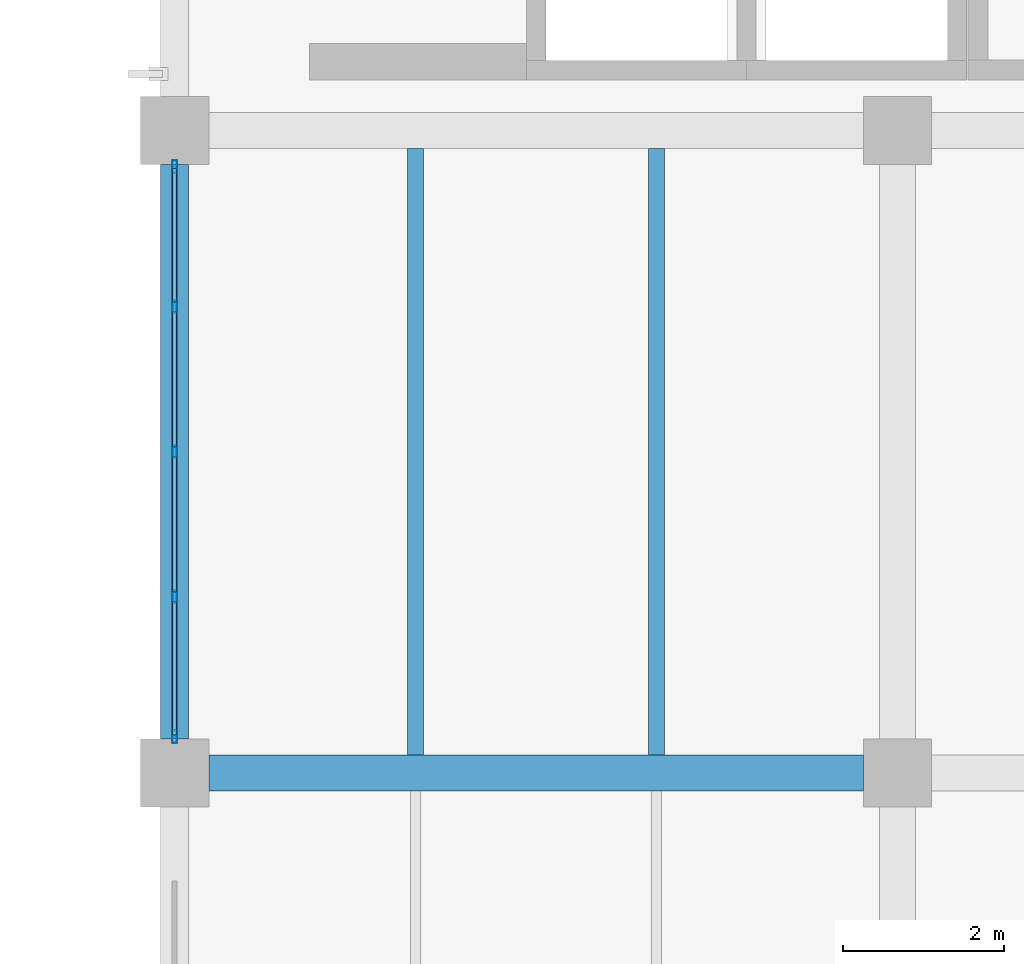
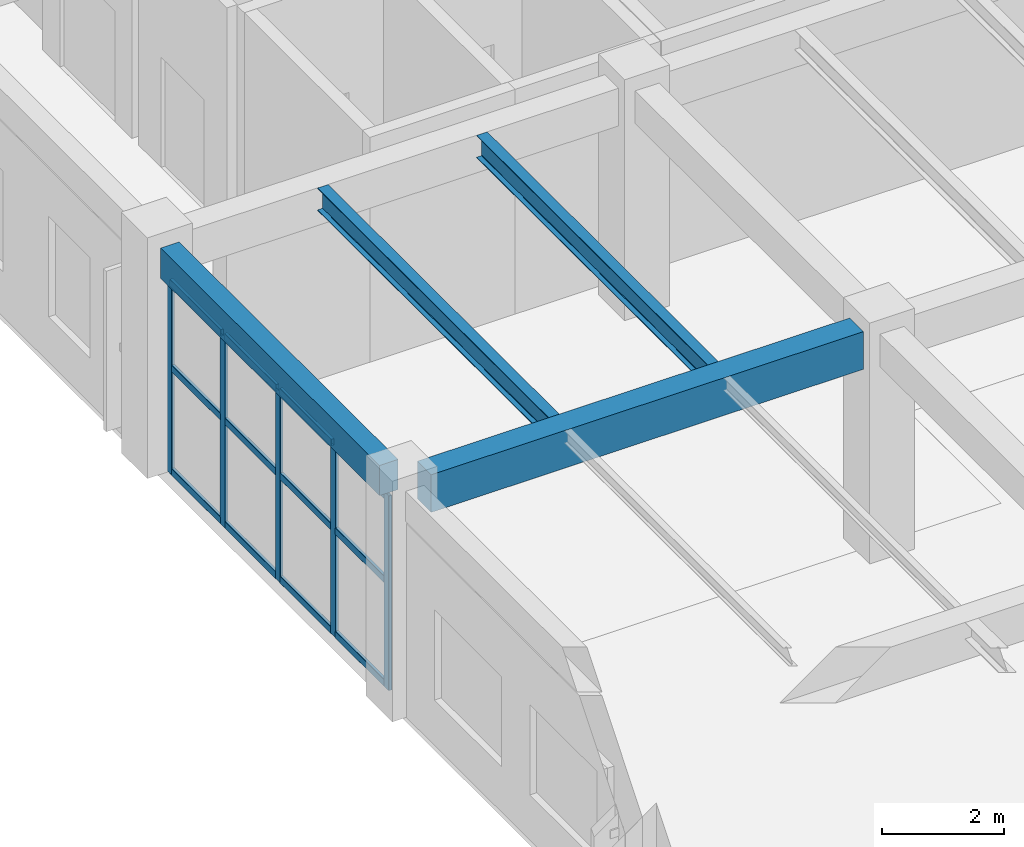
# One storey, part 120 of 178: 17 members, 4 beams, 1 element without a shape of its own.
"""IFC4 building model written with IfcOpenShell, lengths in metres."""

from ifc_helpers import new_model, si_unit, derived_unit, direction, frame, origin, origin_2d, place, context, subcontext, project, spatial, rectangle, hollow_rectangle, i_section, extrude, material, material_profile, profile_set, type_object, element, aggregate, save


model = new_model("IFC4")

# Units and contexts
model_context = context("Model", 3, precision=1e-05, world=origin(), true_north=direction((0.0, 1.0)))
body_context = subcontext(model_context, "Body", "Model", "MODEL_VIEW")
ifc_project = project(units=[si_unit("LENGTHUNIT", "METRE"), si_unit("AREAUNIT", "SQUARE_METRE"), si_unit("VOLUMEUNIT", "CUBIC_METRE"), si_unit("PLANEANGLEUNIT", "RADIAN"), si_unit("MASSUNIT", "GRAM", prefix="KILO"), derived_unit("THERMALTRANSMITTANCEUNIT", [(si_unit("MASSUNIT", "GRAM", prefix="KILO"), 1), (si_unit("TIMEUNIT", "SECOND"), -3), (si_unit("THERMODYNAMICTEMPERATUREUNIT", "KELVIN"), -1)])], contexts=[model_context])

# Site, building, storey
site_placement = place(None, origin())
site = spatial("IfcSite", under=ifc_project, at=site_placement, CompositionType="ELEMENT")
building_placement = place(site_placement, origin())
building = spatial("IfcBuilding", under=site, at=building_placement, Name="Zhenchuan Archway Interchange", CompositionType="ELEMENT")
storey_placement = place(building_placement, frame((0.0, 0.0, 5.39990234375)))
storey = spatial("IfcBuildingStorey", under=building, at=storey_placement, Name="L01", CompositionType="ELEMENT", Elevation=5.39990234375)

# Beam
ifc_material_1 = material(Name="Concrete C40", Category="concrete")
ifc_material_profile_1 = material_profile(ifc_material_1, rectangle(XDim=0.449951171875, YDim=0.75, at=origin_2d()), Name="RC 450x750")
ifc_profile_set_1 = profile_set([ifc_material_profile_1], Name="Concrete C40")
beam_type_1 = type_object("IfcBeamType", Name="BM_RC_450x750", PredefinedType="BEAM", material=ifc_profile_set_1)
beam_1_placement = place(storey_placement, frame((144.425048828125, 40.0, 4.135009765625), z_axis=(1.0, 0.0, 0.0), x_axis=(0.0, 1.0, 0.0)))
element("IfcBeam", 1, at=beam_1_placement, inside=storey, type_object=beam_type_1, Name="Beam F:17-18 (L01)", PredefinedType="BEAM", context=body_context, shape_type="SweptSolid", body=[
    extrude(rectangle(XDim=0.449951171875, YDim=0.75, at=origin_2d()), origin(), (0.0, 0.0, 1.0), 8.14990234375),
])

# Curtain wall, members
ifc_material_2 = material(Name="Anodised Aluminium", Category="aluminium")
curtain_wall_type = type_object("IfcCurtainWallType", Name="CW_UNIT_2", PredefinedType="NOTDEFINED", material=ifc_material_2)
curtain_wall_placement = place(storey_placement, origin())
curtain_wall = element("IfcCurtainWall", 2, at=curtain_wall_placement, inside=storey, type_object=curtain_wall_type, Name="Unitised curtain wall CW:L01:093", PredefinedType="NOTDEFINED")
ifc_material_profile_2 = material_profile(ifc_material_2, hollow_rectangle(XDim=0.06005859375, YDim=0.159912109375, WallThickness=0.00390625, InnerFilletRadius=0.00390625, OuterFilletRadius=0.008056640625, at=origin_2d()), Name="ALU 160x60x4")
ifc_profile_set_2 = profile_set([ifc_material_profile_2], Name="Anodised Aluminium")
member_type_1 = type_object("IfcMemberType", Name="CW_MUL_150", PredefinedType="MULLION", material=ifc_profile_set_2)
member_1_placement = place(storey_placement, frame((144.0, 40.452880859375, 0.0), z_axis=(0.0, 0.0, 1.0), x_axis=(1.0, 0.0, 0.0)))
member_1 = element("IfcMember", 3, at=member_1_placement, type_object=member_type_1, Name="CW:L01:093 mullion 0", PredefinedType="MULLION", context=body_context, shape_type="SweptSolid", body=[
    extrude(hollow_rectangle(XDim=0.06005859375, YDim=0.159912109375, WallThickness=0.00390625, InnerFilletRadius=0.00390625, OuterFilletRadius=0.008056640625, at=origin_2d()), origin(), (0.0, 0.0, 1.0), 3.880126953125),
])
member_2_placement = place(storey_placement, frame((144.0, 42.196533203125, 0.0), z_axis=(0.0, 0.0, 1.0), x_axis=(1.0, 0.0, 0.0)))
member_2 = element("IfcMember", 4, at=member_2_placement, type_object=member_type_1, Name="CW:L01:093 mullion 1", PredefinedType="MULLION", context=body_context, shape_type="SweptSolid", body=[
    extrude(hollow_rectangle(XDim=0.06005859375, YDim=0.159912109375, WallThickness=0.00390625, InnerFilletRadius=0.00390625, OuterFilletRadius=0.008056640625, at=origin_2d()), origin(), (0.0, 0.0, 1.0), 3.880126953125),
])
member_3_placement = place(storey_placement, frame((144.0, 44.0, 0.0), z_axis=(0.0, 0.0, 1.0), x_axis=(1.0, 0.0, 0.0)))
member_3 = element("IfcMember", 5, at=member_3_placement, type_object=member_type_1, Name="CW:L01:093 mullion 2", PredefinedType="MULLION", context=body_context, shape_type="SweptSolid", body=[
    extrude(hollow_rectangle(XDim=0.06005859375, YDim=0.159912109375, WallThickness=0.00390625, InnerFilletRadius=0.00390625, OuterFilletRadius=0.008056640625, at=origin_2d()), origin(), (0.0, 0.0, 1.0), 3.880126953125),
])
member_4_placement = place(storey_placement, frame((144.0, 45.803466796875, 0.0), z_axis=(0.0, 0.0, 1.0), x_axis=(1.0, 0.0, 0.0)))
member_4 = element("IfcMember", 6, at=member_4_placement, type_object=member_type_1, Name="CW:L01:093 mullion 3", PredefinedType="MULLION", context=body_context, shape_type="SweptSolid", body=[
    extrude(hollow_rectangle(XDim=0.06005859375, YDim=0.159912109375, WallThickness=0.00390625, InnerFilletRadius=0.00390625, OuterFilletRadius=0.008056640625, at=origin_2d()), origin(), (0.0, 0.0, 1.0), 3.880126953125),
])
member_5_placement = place(storey_placement, frame((144.0, 47.547119140625, 0.0), z_axis=(0.0, 0.0, 1.0), x_axis=(1.0, 0.0, 0.0)))
member_5 = element("IfcMember", 7, at=member_5_placement, type_object=member_type_1, Name="CW:L01:093 mullion 4", PredefinedType="MULLION", context=body_context, shape_type="SweptSolid", body=[
    extrude(hollow_rectangle(XDim=0.06005859375, YDim=0.159912109375, WallThickness=0.00390625, InnerFilletRadius=0.00390625, OuterFilletRadius=0.008056640625, at=origin_2d()), origin(), (0.0, 0.0, 1.0), 3.880126953125),
])
ifc_material_profile_3 = material_profile(ifc_material_2, hollow_rectangle(XDim=0.06005859375, YDim=0.139892578125, WallThickness=0.00341796875, InnerFilletRadius=0.00341796875, OuterFilletRadius=0.007080078125, at=origin_2d()), Name="ALU 140x60x3.5")
ifc_profile_set_3 = profile_set([ifc_material_profile_3], Name="Anodised Aluminium")
member_type_2 = type_object("IfcMemberType", Name="CW_TRN_140", PredefinedType="USERDEFINED", material=ifc_profile_set_3)
member_6_placement = place(storey_placement, frame((144.0, 40.472900390625, 0.06005859375), z_axis=(0.0, 1.0, 0.0), x_axis=(-1.0, 0.0, 0.0)))
member_6 = element("IfcMember", 8, at=member_6_placement, type_object=member_type_2, Name="CW:L01:093 transom 0-1", ObjectType="TRANSOM", PredefinedType="USERDEFINED", context=body_context, shape_type="SweptSolid", body=[
    extrude(hollow_rectangle(XDim=0.06005859375, YDim=0.139892578125, WallThickness=0.00341796875, InnerFilletRadius=0.00341796875, OuterFilletRadius=0.007080078125, at=origin_2d()), origin(), (0.0, 0.0, 1.0), 1.66357421875),
])
member_7_placement = place(storey_placement, frame((144.0, 40.472900390625, 2.123046875), z_axis=(0.0, 1.0, 0.0), x_axis=(-1.0, 0.0, 0.0)))
member_7 = element("IfcMember", 9, at=member_7_placement, type_object=member_type_2, Name="CW:L01:093 transom 0-2", ObjectType="TRANSOM", PredefinedType="USERDEFINED", context=body_context, shape_type="SweptSolid", body=[
    extrude(hollow_rectangle(XDim=0.06005859375, YDim=0.139892578125, WallThickness=0.00341796875, InnerFilletRadius=0.00341796875, OuterFilletRadius=0.007080078125, at=origin_2d()), origin(), (0.0, 0.0, 1.0), 1.66357421875),
])
member_8_placement = place(storey_placement, frame((144.0, 40.472900390625, 3.800048828125), z_axis=(0.0, 1.0, 0.0), x_axis=(-1.0, 0.0, 0.0)))
member_8 = element("IfcMember", 10, at=member_8_placement, type_object=member_type_2, Name="CW:L01:093 transom 0-3", ObjectType="TRANSOM", PredefinedType="USERDEFINED", context=body_context, shape_type="SweptSolid", body=[
    extrude(hollow_rectangle(XDim=0.06005859375, YDim=0.139892578125, WallThickness=0.00341796875, InnerFilletRadius=0.00341796875, OuterFilletRadius=0.007080078125, at=origin_2d()), origin(), (0.0, 0.0, 1.0), 1.66357421875),
])
member_9_placement = place(storey_placement, frame((144.0, 42.256591796875, 0.06005859375), z_axis=(0.0, 1.0, 0.0), x_axis=(-1.0, 0.0, 0.0)))
member_9 = element("IfcMember", 11, at=member_9_placement, type_object=member_type_2, Name="CW:L01:093 transom 1-1", ObjectType="TRANSOM", PredefinedType="USERDEFINED", context=body_context, shape_type="SweptSolid", body=[
    extrude(hollow_rectangle(XDim=0.06005859375, YDim=0.139892578125, WallThickness=0.00341796875, InnerFilletRadius=0.00341796875, OuterFilletRadius=0.007080078125, at=origin_2d()), origin(), (0.0, 0.0, 1.0), 1.683349609375),
])
member_10_placement = place(storey_placement, frame((144.0, 42.256591796875, 2.123046875), z_axis=(0.0, 1.0, 0.0), x_axis=(-1.0, 0.0, 0.0)))
member_10 = element("IfcMember", 12, at=member_10_placement, type_object=member_type_2, Name="CW:L01:093 transom 1-2", ObjectType="TRANSOM", PredefinedType="USERDEFINED", context=body_context, shape_type="SweptSolid", body=[
    extrude(hollow_rectangle(XDim=0.06005859375, YDim=0.139892578125, WallThickness=0.00341796875, InnerFilletRadius=0.00341796875, OuterFilletRadius=0.007080078125, at=origin_2d()), origin(), (0.0, 0.0, 1.0), 1.683349609375),
])
member_11_placement = place(storey_placement, frame((144.0, 42.256591796875, 3.800048828125), z_axis=(0.0, 1.0, 0.0), x_axis=(-1.0, 0.0, 0.0)))
member_11 = element("IfcMember", 13, at=member_11_placement, type_object=member_type_2, Name="CW:L01:093 transom 1-3", ObjectType="TRANSOM", PredefinedType="USERDEFINED", context=body_context, shape_type="SweptSolid", body=[
    extrude(hollow_rectangle(XDim=0.06005859375, YDim=0.139892578125, WallThickness=0.00341796875, InnerFilletRadius=0.00341796875, OuterFilletRadius=0.007080078125, at=origin_2d()), origin(), (0.0, 0.0, 1.0), 1.683349609375),
])
member_12_placement = place(storey_placement, frame((144.0, 44.06005859375, 0.06005859375), z_axis=(0.0, 1.0, 0.0), x_axis=(-1.0, 0.0, 0.0)))
member_12 = element("IfcMember", 14, at=member_12_placement, type_object=member_type_2, Name="CW:L01:093 transom 2-1", ObjectType="TRANSOM", PredefinedType="USERDEFINED", context=body_context, shape_type="SweptSolid", body=[
    extrude(hollow_rectangle(XDim=0.06005859375, YDim=0.139892578125, WallThickness=0.00341796875, InnerFilletRadius=0.00341796875, OuterFilletRadius=0.007080078125, at=origin_2d()), origin(), (0.0, 0.0, 1.0), 1.683349609375),
])
member_13_placement = place(storey_placement, frame((144.0, 44.06005859375, 2.123046875), z_axis=(0.0, 1.0, 0.0), x_axis=(-1.0, 0.0, 0.0)))
member_13 = element("IfcMember", 15, at=member_13_placement, type_object=member_type_2, Name="CW:L01:093 transom 2-2", ObjectType="TRANSOM", PredefinedType="USERDEFINED", context=body_context, shape_type="SweptSolid", body=[
    extrude(hollow_rectangle(XDim=0.06005859375, YDim=0.139892578125, WallThickness=0.00341796875, InnerFilletRadius=0.00341796875, OuterFilletRadius=0.007080078125, at=origin_2d()), origin(), (0.0, 0.0, 1.0), 1.683349609375),
])
member_14_placement = place(storey_placement, frame((144.0, 44.06005859375, 3.800048828125), z_axis=(0.0, 1.0, 0.0), x_axis=(-1.0, 0.0, 0.0)))
member_14 = element("IfcMember", 16, at=member_14_placement, type_object=member_type_2, Name="CW:L01:093 transom 2-3", ObjectType="TRANSOM", PredefinedType="USERDEFINED", context=body_context, shape_type="SweptSolid", body=[
    extrude(hollow_rectangle(XDim=0.06005859375, YDim=0.139892578125, WallThickness=0.00341796875, InnerFilletRadius=0.00341796875, OuterFilletRadius=0.007080078125, at=origin_2d()), origin(), (0.0, 0.0, 1.0), 1.683349609375),
])
member_15_placement = place(storey_placement, frame((144.0, 45.863525390625, 0.06005859375), z_axis=(0.0, 1.0, 0.0), x_axis=(-1.0, 0.0, 0.0)))
member_15 = element("IfcMember", 17, at=member_15_placement, type_object=member_type_2, Name="CW:L01:093 transom 3-1", ObjectType="TRANSOM", PredefinedType="USERDEFINED", context=body_context, shape_type="SweptSolid", body=[
    extrude(hollow_rectangle(XDim=0.06005859375, YDim=0.139892578125, WallThickness=0.00341796875, InnerFilletRadius=0.00341796875, OuterFilletRadius=0.007080078125, at=origin_2d()), origin(), (0.0, 0.0, 1.0), 1.66357421875),
])
member_16_placement = place(storey_placement, frame((144.0, 45.863525390625, 2.123046875), z_axis=(0.0, 1.0, 0.0), x_axis=(-1.0, 0.0, 0.0)))
member_16 = element("IfcMember", 18, at=member_16_placement, type_object=member_type_2, Name="CW:L01:093 transom 3-2", ObjectType="TRANSOM", PredefinedType="USERDEFINED", context=body_context, shape_type="SweptSolid", body=[
    extrude(hollow_rectangle(XDim=0.06005859375, YDim=0.139892578125, WallThickness=0.00341796875, InnerFilletRadius=0.00341796875, OuterFilletRadius=0.007080078125, at=origin_2d()), origin(), (0.0, 0.0, 1.0), 1.66357421875),
])
member_17_placement = place(storey_placement, frame((144.0, 45.863525390625, 3.800048828125), z_axis=(0.0, 1.0, 0.0), x_axis=(-1.0, 0.0, 0.0)))
member_17 = element("IfcMember", 19, at=member_17_placement, type_object=member_type_2, Name="CW:L01:093 transom 3-3", ObjectType="TRANSOM", PredefinedType="USERDEFINED", context=body_context, shape_type="SweptSolid", body=[
    extrude(hollow_rectangle(XDim=0.06005859375, YDim=0.139892578125, WallThickness=0.00341796875, InnerFilletRadius=0.00341796875, OuterFilletRadius=0.007080078125, at=origin_2d()), origin(), (0.0, 0.0, 1.0), 1.66357421875),
])
aggregate(curtain_wall, [member_1, member_2, member_3, member_4, member_5, member_6, member_7, member_8, member_9, member_10, member_11, member_12, member_13, member_14, member_15, member_16, member_17])

# Beams
ifc_material_3 = material(Name="Steel Q355", Category="steel")
ifc_material_profile_4 = material_profile(ifc_material_3, i_section(OverallWidth=0.199951171875, OverallDepth=0.449951171875, WebThickness=0.009033203125, FlangeThickness=0.013916015625, FilletRadius=0.01806640625, at=origin_2d()), Name="HN 450x200")
ifc_profile_set_4 = profile_set([ifc_material_profile_4], Name="Steel Q355")
beam_type_2 = type_object("IfcBeamType", Name="JST_STL_HN450", PredefinedType="JOIST", material=ifc_profile_set_4)
for number, where, z_axis, x_axis, name in (
    (20, (147.0, 40.22509765625, 4.28515625), (0.0, 1.0, 0.0), (-1.0, 0.0, 0.0), "Secondary joist 17-18/F-G #1 (L01)"),
    (21, (150.0, 40.22509765625, 4.28515625), (0.0, 1.0, 0.0), (-1.0, 0.0, 0.0), "Secondary joist 17-18/F-G #2 (L01)"),
):
    element("IfcBeam", number, at=place(storey_placement, frame(where, z_axis=z_axis, x_axis=x_axis)), inside=storey, type_object=beam_type_2, Name=name, PredefinedType="JOIST", context=body_context, shape_type="SweptSolid", body=[
        extrude(i_section(OverallWidth=0.199951171875, OverallDepth=0.449951171875, WebThickness=0.009033203125, FlangeThickness=0.013916015625, FilletRadius=0.01806640625, at=origin_2d()), origin(), (0.0, 0.0, 1.0), 7.5498046875),
    ])
ifc_material_profile_5 = material_profile(ifc_material_1, rectangle(XDim=0.35009765625, YDim=0.60009765625, at=origin_2d()), Name="RC 350x600")
ifc_profile_set_5 = profile_set([ifc_material_profile_5], Name="Concrete C40")
beam_type_3 = type_object("IfcBeamType", Name="SP_RC_350x600", PredefinedType="SPANDREL", material=ifc_profile_set_5)
beam_2_placement = place(storey_placement, frame((144.0, 40.425048828125, 4.210205078125), z_axis=(0.0, 1.0, 0.0), x_axis=(-1.0, 0.0, 0.0)))
element("IfcBeam", 22, at=beam_2_placement, inside=storey, type_object=beam_type_3, Name="Beam 17:F-G (L01)", PredefinedType="SPANDREL", context=body_context, shape_type="SweptSolid", body=[
    extrude(rectangle(XDim=0.35009765625, YDim=0.60009765625, at=origin_2d()), origin(), (0.0, 0.0, 1.0), 7.14990234375),
])

save(model, "model.ifc")
